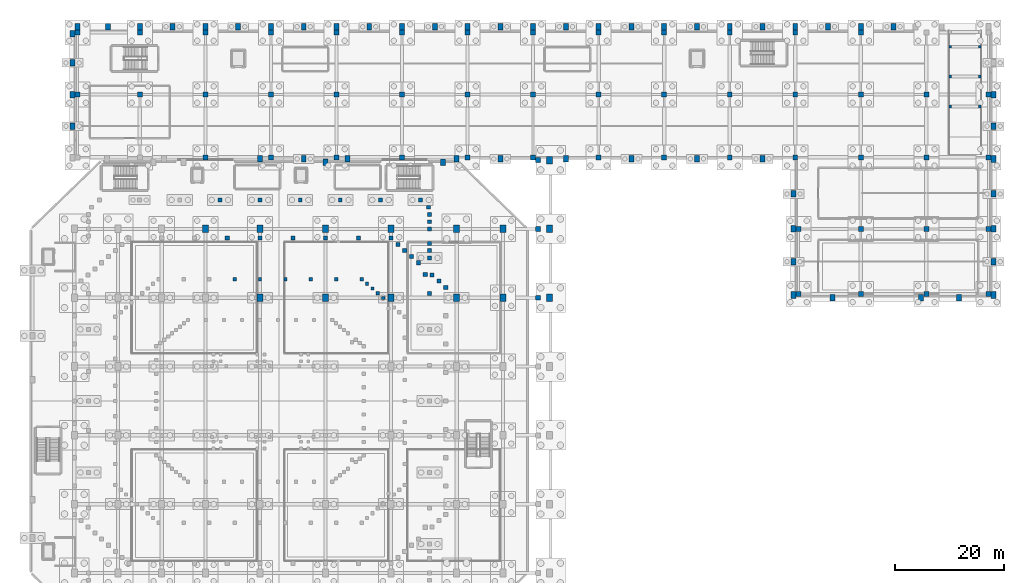
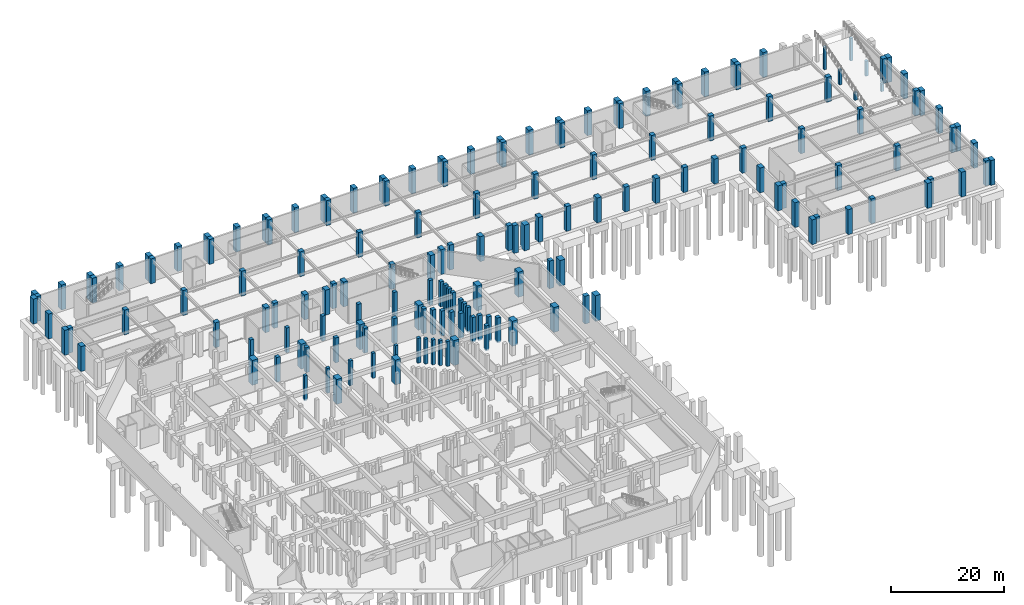
# One storey, part 9 of 27: 165 columns.
"""IFC4 building model written with IfcOpenShell, lengths in metres."""

from ifc_helpers import new_model, si_unit, derived_unit, direction, frame, origin, origin_2d, place, context, subcontext, project, spatial, rectangle, extrude, material, material_profile, profile_set, type_object, element, save


model = new_model("IFC4")

# Units and contexts
model_context = context("Model", 3, precision=1e-05, world=origin(), true_north=direction((0.0, 1.0)))
body_context = subcontext(model_context, "Body", "Model", "MODEL_VIEW")
ifc_project = project(units=[si_unit("LENGTHUNIT", "METRE"), si_unit("AREAUNIT", "SQUARE_METRE"), si_unit("VOLUMEUNIT", "CUBIC_METRE"), si_unit("PLANEANGLEUNIT", "RADIAN"), si_unit("MASSUNIT", "GRAM", prefix="KILO"), derived_unit("THERMALTRANSMITTANCEUNIT", [(si_unit("MASSUNIT", "GRAM", prefix="KILO"), 1), (si_unit("TIMEUNIT", "SECOND"), -3), (si_unit("THERMODYNAMICTEMPERATUREUNIT", "KELVIN"), -1)])], contexts=[model_context])

# Site, building, storey
site_placement = place(None, origin())
site = spatial("IfcSite", under=ifc_project, at=site_placement, CompositionType="ELEMENT")
building_placement = place(site_placement, origin())
building = spatial("IfcBuilding", under=site, at=building_placement, Name="Valcora Ridge Arena", CompositionType="ELEMENT")
storey_placement = place(building_placement, frame((0.0, 0.0, -5.39990234375)))
storey = spatial("IfcBuildingStorey", under=building, at=storey_placement, Name="B1", CompositionType="ELEMENT", Elevation=-5.39990234375)

# Columns
ifc_material_1 = material(Name="Bush-hammered Andean travertine architectural concrete C45/55", Category="masonry")
ifc_material_profile_1 = material_profile(ifc_material_1, rectangle(XDim=0.89990234375, YDim=1.199951171875, at=origin_2d()), Name="RC 900x1200")
ifc_profile_set_1 = profile_set([ifc_material_profile_1], Name="Bush-hammered Andean travertine architectural concrete C45/55")
column_type_1 = type_object("IfcColumnType", Name="TY-COLUMN-C-BUTT-1200", PredefinedType="PILASTER", material=ifc_profile_set_1)
for number, where, z_axis, x_axis, name in (
    (1, (70.0, 107.800048828125, 0.0), (0.0, 0.0, 1.0), (1.0, 0.0, 0.0), "C-BUTT-1200 COL-C-BUTT-1200-0025"),
    (2, (91.5, 107.800048828125, 0.0), (0.0, 0.0, 1.0), (1.0, 0.0, 0.0), "C-BUTT-1200 COL-C-BUTT-1200-0029"),
    (3, (24.60009765625, 132.6201171875, 0.0), (0.0, 0.0, 1.0), (1.0, 0.0, 0.0), "C-BUTT-1200 COL-C-BUTT-1200-0131"),
    (4, (30.199951171875, 132.6201171875, 0.0), (0.0, 0.0, 1.0), (1.0, 0.0, 0.0), "C-BUTT-1200 COL-C-BUTT-1200-0135"),
    (5, (42.0, 132.6201171875, 0.0), (0.0, 0.0, 1.0), (1.0, 0.0, 0.0), "C-BUTT-1200 COL-C-BUTT-1200-0139"),
    (6, (54.0, 132.6201171875, 0.0), (0.0, 0.0, 1.0), (1.0, 0.0, 0.0), "C-BUTT-1200 COL-C-BUTT-1200-0143"),
    (7, (66.0, 132.6201171875, 0.0), (0.0, 0.0, 1.0), (1.0, 0.0, 0.0), "C-BUTT-1200 COL-C-BUTT-1200-0147"),
    (8, (78.0, 132.6201171875, 0.0), (0.0, 0.0, 1.0), (1.0, 0.0, 0.0), "C-BUTT-1200 COL-C-BUTT-1200-0151"),
    (9, (90.0, 132.6201171875, 0.0), (0.0, 0.0, 1.0), (1.0, 0.0, 0.0), "C-BUTT-1200 COL-C-BUTT-1200-0155"),
    (10, (102.0, 132.6201171875, 0.0), (0.0, 0.0, 1.0), (1.0, 0.0, 0.0), "C-BUTT-1200 COL-C-BUTT-1200-0159"),
    (11, (114.0, 132.6201171875, 0.0), (0.0, 0.0, 1.0), (1.0, 0.0, 0.0), "C-BUTT-1200 COL-C-BUTT-1200-0163"),
    (12, (126.0, 132.6201171875, 0.0), (0.0, 0.0, 1.0), (1.0, 0.0, 0.0), "C-BUTT-1200 COL-C-BUTT-1200-0167"),
    (13, (138.0, 132.6201171875, 0.0), (0.0, 0.0, 1.0), (1.0, 0.0, 0.0), "C-BUTT-1200 COL-C-BUTT-1200-0171"),
    (14, (150.0, 132.6201171875, 0.0), (0.0, 0.0, 1.0), (1.0, 0.0, 0.0), "C-BUTT-1200 COL-C-BUTT-1200-0175"),
    (15, (162.0, 132.6201171875, 0.0), (0.0, 0.0, 1.0), (1.0, 0.0, 0.0), "C-BUTT-1200 COL-C-BUTT-1200-0179"),
    (16, (174.0, 132.6201171875, 0.0), (0.0, 0.0, 1.0), (1.0, 0.0, 0.0), "C-BUTT-1200 COL-C-BUTT-1200-0183"),
    (17, (192.320068359375, 83.5, 0.0), (0.0, 0.0, 1.0), (1.0, 0.0, 0.0), "C-BUTT-1200 COL-C-BUTT-1200-0195"),
    (18, (192.320068359375, 89.60009765625, 0.0), (0.0, 0.0, 1.0), (1.0, 0.0, 0.0), "C-BUTT-1200 COL-C-BUTT-1200-0199"),
    (19, (192.320068359375, 95.60009765625, 0.0), (0.0, 0.0, 1.0), (1.0, 0.0, 0.0), "C-BUTT-1200 COL-C-BUTT-1200-0203"),
    (20, (192.320068359375, 102.0, 0.0), (0.0, 0.0, 1.0), (1.0, 0.0, 0.0), "C-BUTT-1200 COL-C-BUTT-1200-0207"),
    (21, (192.320068359375, 108.39990234375, 0.0), (0.0, 0.0, 1.0), (1.0, 0.0, 0.0), "C-BUTT-1200 COL-C-BUTT-1200-0211"),
    (22, (192.320068359375, 114.39990234375, 0.0), (0.0, 0.0, 1.0), (1.0, 0.0, 0.0), "C-BUTT-1200 COL-C-BUTT-1200-0215"),
    (23, (192.320068359375, 120.199951171875, 0.0), (0.0, 0.0, 1.0), (1.0, 0.0, 0.0), "C-BUTT-1200 COL-C-BUTT-1200-0219"),
    (24, (23.679931640625, 114.39990234375, 0.0), (0.0, 0.0, 1.0), (1.0, 0.0, 0.0), "C-BUTT-1200 COL-C-BUTT-1200-0231"),
    (25, (23.679931640625, 120.199951171875, 0.0), (0.0, 0.0, 1.0), (1.0, 0.0, 0.0), "C-BUTT-1200 COL-C-BUTT-1200-0235"),
    (26, (23.679931640625, 126.0, 0.0), (0.0, 0.0, 1.0), (1.0, 0.0, 0.0), "C-BUTT-1200 COL-C-BUTT-1200-0239"),
    (27, (23.679931640625, 131.35009765625, 0.0), (0.0, 0.0, 1.0), (1.0, 0.0, 0.0), "C-BUTT-1200 COL-C-BUTT-1200-0243"),
    (28, (155.679931640625, 83.5, 0.0), (0.0, 0.0, 1.0), (1.0, 0.0, 0.0), "C-BUTT-1200 COL-C-BUTT-1200-0247"),
    (29, (155.679931640625, 89.60009765625, 0.0), (0.0, 0.0, 1.0), (1.0, 0.0, 0.0), "C-BUTT-1200 COL-C-BUTT-1200-0251"),
    (30, (155.679931640625, 95.60009765625, 0.0), (0.0, 0.0, 1.0), (1.0, 0.0, 0.0), "C-BUTT-1200 COL-C-BUTT-1200-0255"),
    (31, (155.679931640625, 102.0, 0.0), (0.0, 0.0, 1.0), (1.0, 0.0, 0.0), "C-BUTT-1200 COL-C-BUTT-1200-0259"),
    (32, (162.800048828125, 83.0, 0.0), (0.0, 0.0, 1.0), (1.0, 0.0, 0.0), "C-BUTT-1200 COL-C-BUTT-1200-0263"),
    (33, (179.050048828125, 83.0, 0.0), (0.0, 0.0, 1.0), (1.0, 0.0, 0.0), "C-BUTT-1200 COL-C-BUTT-1200-0267"),
    (34, (186.0, 83.0, 0.0), (0.0, 0.0, 1.0), (1.0, 0.0, 0.0), "C-BUTT-1200 COL-C-BUTT-1200-0271"),
    (35, (36.0, 132.6201171875, 0.0), (0.0, 0.0, 1.0), (1.0, 0.0, 0.0), "C-BUTT-1200 COL-C-BUTT-1200-0275"),
    (36, (48.0, 132.6201171875, 0.0), (0.0, 0.0, 1.0), (1.0, 0.0, 0.0), "C-BUTT-1200 COL-C-BUTT-1200-0279"),
    (37, (60.0, 132.6201171875, 0.0), (0.0, 0.0, 1.0), (1.0, 0.0, 0.0), "C-BUTT-1200 COL-C-BUTT-1200-0283"),
    (38, (72.0, 132.6201171875, 0.0), (0.0, 0.0, 1.0), (1.0, 0.0, 0.0), "C-BUTT-1200 COL-C-BUTT-1200-0287"),
    (39, (84.0, 132.6201171875, 0.0), (0.0, 0.0, 1.0), (1.0, 0.0, 0.0), "C-BUTT-1200 COL-C-BUTT-1200-0291"),
    (40, (96.0, 132.6201171875, 0.0), (0.0, 0.0, 1.0), (1.0, 0.0, 0.0), "C-BUTT-1200 COL-C-BUTT-1200-0295"),
    (41, (108.0, 132.6201171875, 0.0), (0.0, 0.0, 1.0), (1.0, 0.0, 0.0), "C-BUTT-1200 COL-C-BUTT-1200-0299"),
    (42, (120.0, 132.6201171875, 0.0), (0.0, 0.0, 1.0), (1.0, 0.0, 0.0), "C-BUTT-1200 COL-C-BUTT-1200-0303"),
    (43, (132.0, 132.6201171875, 0.0), (0.0, 0.0, 1.0), (1.0, 0.0, 0.0), "C-BUTT-1200 COL-C-BUTT-1200-0307"),
    (44, (144.0, 132.6201171875, 0.0), (0.0, 0.0, 1.0), (1.0, 0.0, 0.0), "C-BUTT-1200 COL-C-BUTT-1200-0311"),
    (45, (156.0, 132.6201171875, 0.0), (0.0, 0.0, 1.0), (1.0, 0.0, 0.0), "C-BUTT-1200 COL-C-BUTT-1200-0315"),
    (46, (168.0, 132.6201171875, 0.0), (0.0, 0.0, 1.0), (1.0, 0.0, 0.0), "C-BUTT-1200 COL-C-BUTT-1200-0319"),
    (47, (58.0, 108.419921875, 0.0), (0.0, 0.0, 1.0), (1.0, 0.0, 0.0), "C-BUTT-1200 COL-C-BUTT-1200-0335"),
    (48, (66.0, 108.419921875, 0.0), (0.0, 0.0, 1.0), (1.0, 0.0, 0.0), "C-BUTT-1200 COL-C-BUTT-1200-0339"),
    (49, (74.0, 108.419921875, 0.0), (0.0, 0.0, 1.0), (1.0, 0.0, 0.0), "C-BUTT-1200 COL-C-BUTT-1200-0343"),
    (50, (94.0, 108.419921875, 0.0), (0.0, 0.0, 1.0), (1.0, 0.0, 0.0), "C-BUTT-1200 COL-C-BUTT-1200-0347"),
    (51, (102.0, 108.419921875, 0.0), (0.0, 0.0, 1.0), (1.0, 0.0, 0.0), "C-BUTT-1200 COL-C-BUTT-1200-0351"),
    (52, (114.0, 108.419921875, 0.0), (0.0, 0.0, 1.0), (1.0, 0.0, 0.0), "C-BUTT-1200 COL-C-BUTT-1200-0355"),
    (53, (126.0, 108.419921875, 0.0), (0.0, 0.0, 1.0), (1.0, 0.0, 0.0), "C-BUTT-1200 COL-C-BUTT-1200-0359"),
    (54, (138.0, 108.419921875, 0.0), (0.0, 0.0, 1.0), (1.0, 0.0, 0.0), "C-BUTT-1200 COL-C-BUTT-1200-0363"),
    (55, (150.0, 108.419921875, 0.0), (0.0, 0.0, 1.0), (1.0, 0.0, 0.0), "C-BUTT-1200 COL-C-BUTT-1200-0367"),
):
    element("IfcColumn", number, at=place(storey_placement, frame(where, z_axis=z_axis, x_axis=x_axis)), inside=storey, type_object=column_type_1, Name=name, PredefinedType="PILASTER", context=body_context, shape_type="SweptSolid", body=[
        extrude(rectangle(XDim=0.89990234375, YDim=1.199951171875, at=origin_2d()), origin(), (0.0, 0.0, 1.0), 5.39990234375),
    ])
ifc_material_2 = material(Name="Concrete C40/50", Category="concrete")
ifc_material_profile_2 = material_profile(ifc_material_2, rectangle(XDim=1.10009765625, YDim=1.39990234375, at=origin_2d()), Name="RC 1100x1400")
ifc_profile_set_2 = profile_set([ifc_material_profile_2], Name="Concrete C40/50")
column_type_2 = type_object("IfcColumnType", Name="TY-COLUMN-C-RC1100", PredefinedType="COLUMN", material=ifc_profile_set_2)
for number, where, z_axis, x_axis, name in (
    (56, (48.0, 95.60009765625, 0.0), (0.0, 0.0, 1.0), (1.0, 0.0, 0.0), "C-RC1100 COL-C-RC1100-0039"),
    (57, (58.0, 83.0, 0.0), (0.0, 0.0, 1.0), (1.0, 0.0, 0.0), "C-RC1100 COL-C-RC1100-0045"),
    (58, (58.0, 95.60009765625, 0.0), (0.0, 0.0, 1.0), (1.0, 0.0, 0.0), "C-RC1100 COL-C-RC1100-0047"),
    (59, (70.0, 83.0, 0.0), (0.0, 0.0, 1.0), (1.0, 0.0, 0.0), "C-RC1100 COL-C-RC1100-0053"),
    (60, (70.0, 95.60009765625, 0.0), (0.0, 0.0, 1.0), (1.0, 0.0, 0.0), "C-RC1100 COL-C-RC1100-0055"),
    (61, (82.0, 83.0, 0.0), (0.0, 0.0, 1.0), (1.0, 0.0, 0.0), "C-RC1100 COL-C-RC1100-0065"),
    (62, (82.0, 95.60009765625, 0.0), (0.0, 0.0, 1.0), (1.0, 0.0, 0.0), "C-RC1100 COL-C-RC1100-0067"),
    (63, (94.0, 83.0, 0.0), (0.0, 0.0, 1.0), (1.0, 0.0, 0.0), "C-RC1100 COL-C-RC1100-0077"),
    (64, (94.0, 95.60009765625, 0.0), (0.0, 0.0, 1.0), (1.0, 0.0, 0.0), "C-RC1100 COL-C-RC1100-0079"),
    (65, (102.5, 83.0, 0.0), (0.0, 0.0, 1.0), (1.0, 0.0, 0.0), "C-RC1100 COL-C-RC1100-0089"),
    (66, (102.5, 95.60009765625, 0.0), (0.0, 0.0, 1.0), (1.0, 0.0, 0.0), "C-RC1100 COL-C-RC1100-0091"),
):
    element("IfcColumn", number, at=place(storey_placement, frame(where, z_axis=z_axis, x_axis=x_axis)), inside=storey, type_object=column_type_2, Name=name, PredefinedType="COLUMN", context=body_context, shape_type="SweptSolid", body=[
        extrude(rectangle(XDim=1.10009765625, YDim=1.39990234375, at=origin_2d()), origin(), (0.0, 0.0, 1.0), 5.39990234375),
    ])
ifc_material_profile_3 = material_profile(ifc_material_2, rectangle(XDim=0.89990234375, YDim=0.89990234375, at=origin_2d()), Name="RC 900x900")
ifc_profile_set_3 = profile_set([ifc_material_profile_3], Name="Concrete C40/50")
column_type_3 = type_object("IfcColumnType", Name="TY-COLUMN-C-RC900B", PredefinedType="COLUMN", material=ifc_profile_set_3)
for number, where, z_axis, x_axis, name in (
    (67, (24.60009765625, 120.199951171875, 0.0), (0.0, 0.0, 1.0), (1.0, 0.0, 0.0), "C-RC900B COL-C-RC900B-0004"),
    (68, (24.60009765625, 131.550048828125, 0.0), (0.0, 0.0, 1.0), (1.0, 0.0, 0.0), "C-RC900B COL-C-RC900B-0007"),
    (69, (36.0, 120.199951171875, 0.0), (0.0, 0.0, 1.0), (1.0, 0.0, 0.0), "C-RC900B COL-C-RC900B-0013"),
    (70, (36.0, 131.550048828125, 0.0), (0.0, 0.0, 1.0), (1.0, 0.0, 0.0), "C-RC900B COL-C-RC900B-0016"),
    (71, (48.0, 108.699951171875, 0.0), (0.0, 0.0, 1.0), (1.0, 0.0, 0.0), "C-RC900B COL-C-RC900B-0019"),
    (72, (48.0, 120.199951171875, 0.0), (0.0, 0.0, 1.0), (1.0, 0.0, 0.0), "C-RC900B COL-C-RC900B-0022"),
    (73, (48.0, 131.550048828125, 0.0), (0.0, 0.0, 1.0), (1.0, 0.0, 0.0), "C-RC900B COL-C-RC900B-0025"),
    (74, (60.0, 108.699951171875, 0.0), (0.0, 0.0, 1.0), (1.0, 0.0, 0.0), "C-RC900B COL-C-RC900B-0028"),
    (75, (60.0, 120.199951171875, 0.0), (0.0, 0.0, 1.0), (1.0, 0.0, 0.0), "C-RC900B COL-C-RC900B-0031"),
    (76, (60.0, 131.550048828125, 0.0), (0.0, 0.0, 1.0), (1.0, 0.0, 0.0), "C-RC900B COL-C-RC900B-0034"),
    (77, (72.0, 108.699951171875, 0.0), (0.0, 0.0, 1.0), (1.0, 0.0, 0.0), "C-RC900B COL-C-RC900B-0037"),
    (78, (72.0, 120.199951171875, 0.0), (0.0, 0.0, 1.0), (1.0, 0.0, 0.0), "C-RC900B COL-C-RC900B-0040"),
    (79, (72.0, 131.550048828125, 0.0), (0.0, 0.0, 1.0), (1.0, 0.0, 0.0), "C-RC900B COL-C-RC900B-0043"),
    (80, (84.0, 108.699951171875, 0.0), (0.0, 0.0, 1.0), (1.0, 0.0, 0.0), "C-RC900B COL-C-RC900B-0046"),
    (81, (84.0, 120.199951171875, 0.0), (0.0, 0.0, 1.0), (1.0, 0.0, 0.0), "C-RC900B COL-C-RC900B-0049"),
    (82, (84.0, 131.550048828125, 0.0), (0.0, 0.0, 1.0), (1.0, 0.0, 0.0), "C-RC900B COL-C-RC900B-0052"),
    (83, (96.0, 108.699951171875, 0.0), (0.0, 0.0, 1.0), (1.0, 0.0, 0.0), "C-RC900B COL-C-RC900B-0055"),
    (84, (96.0, 120.199951171875, 0.0), (0.0, 0.0, 1.0), (1.0, 0.0, 0.0), "C-RC900B COL-C-RC900B-0058"),
    (85, (96.0, 131.550048828125, 0.0), (0.0, 0.0, 1.0), (1.0, 0.0, 0.0), "C-RC900B COL-C-RC900B-0061"),
    (86, (108.0, 108.699951171875, 0.0), (0.0, 0.0, 1.0), (1.0, 0.0, 0.0), "C-RC900B COL-C-RC900B-0064"),
    (87, (108.0, 120.199951171875, 0.0), (0.0, 0.0, 1.0), (1.0, 0.0, 0.0), "C-RC900B COL-C-RC900B-0067"),
    (88, (108.0, 131.550048828125, 0.0), (0.0, 0.0, 1.0), (1.0, 0.0, 0.0), "C-RC900B COL-C-RC900B-0070"),
    (89, (120.0, 108.699951171875, 0.0), (0.0, 0.0, 1.0), (1.0, 0.0, 0.0), "C-RC900B COL-C-RC900B-0073"),
    (90, (120.0, 120.199951171875, 0.0), (0.0, 0.0, 1.0), (1.0, 0.0, 0.0), "C-RC900B COL-C-RC900B-0076"),
    (91, (120.0, 131.550048828125, 0.0), (0.0, 0.0, 1.0), (1.0, 0.0, 0.0), "C-RC900B COL-C-RC900B-0079"),
    (92, (132.0, 108.699951171875, 0.0), (0.0, 0.0, 1.0), (1.0, 0.0, 0.0), "C-RC900B COL-C-RC900B-0082"),
    (93, (132.0, 120.199951171875, 0.0), (0.0, 0.0, 1.0), (1.0, 0.0, 0.0), "C-RC900B COL-C-RC900B-0085"),
    (94, (132.0, 131.550048828125, 0.0), (0.0, 0.0, 1.0), (1.0, 0.0, 0.0), "C-RC900B COL-C-RC900B-0088"),
    (95, (144.0, 108.699951171875, 0.0), (0.0, 0.0, 1.0), (1.0, 0.0, 0.0), "C-RC900B COL-C-RC900B-0091"),
    (96, (144.0, 120.199951171875, 0.0), (0.0, 0.0, 1.0), (1.0, 0.0, 0.0), "C-RC900B COL-C-RC900B-0094"),
    (97, (144.0, 131.550048828125, 0.0), (0.0, 0.0, 1.0), (1.0, 0.0, 0.0), "C-RC900B COL-C-RC900B-0097"),
    (98, (156.0, 108.699951171875, 0.0), (0.0, 0.0, 1.0), (1.0, 0.0, 0.0), "C-RC900B COL-C-RC900B-0100"),
    (99, (156.0, 120.199951171875, 0.0), (0.0, 0.0, 1.0), (1.0, 0.0, 0.0), "C-RC900B COL-C-RC900B-0103"),
    (100, (156.0, 131.550048828125, 0.0), (0.0, 0.0, 1.0), (1.0, 0.0, 0.0), "C-RC900B COL-C-RC900B-0106"),
    (101, (168.0, 108.699951171875, 0.0), (0.0, 0.0, 1.0), (1.0, 0.0, 0.0), "C-RC900B COL-C-RC900B-0109"),
    (102, (168.0, 120.199951171875, 0.0), (0.0, 0.0, 1.0), (1.0, 0.0, 0.0), "C-RC900B COL-C-RC900B-0112"),
    (103, (168.0, 131.550048828125, 0.0), (0.0, 0.0, 1.0), (1.0, 0.0, 0.0), "C-RC900B COL-C-RC900B-0115"),
    (104, (180.0, 108.699951171875, 0.0), (0.0, 0.0, 1.0), (1.0, 0.0, 0.0), "C-RC900B COL-C-RC900B-0118"),
    (105, (180.0, 120.199951171875, 0.0), (0.0, 0.0, 1.0), (1.0, 0.0, 0.0), "C-RC900B COL-C-RC900B-0121"),
    (106, (191.39990234375, 108.699951171875, 0.0), (0.0, 0.0, 1.0), (1.0, 0.0, 0.0), "C-RC900B COL-C-RC900B-0127"),
    (107, (191.39990234375, 120.199951171875, 0.0), (0.0, 0.0, 1.0), (1.0, 0.0, 0.0), "C-RC900B COL-C-RC900B-0130"),
    (108, (156.60009765625, 83.699951171875, 0.0), (0.0, 0.0, 1.0), (1.0, 0.0, 0.0), "C-RC900B COL-C-RC900B-0136"),
    (109, (156.60009765625, 95.60009765625, 0.0), (0.0, 0.0, 1.0), (1.0, 0.0, 0.0), "C-RC900B COL-C-RC900B-0139"),
    (110, (168.0, 83.699951171875, 0.0), (0.0, 0.0, 1.0), (1.0, 0.0, 0.0), "C-RC900B COL-C-RC900B-0142"),
    (111, (168.0, 95.60009765625, 0.0), (0.0, 0.0, 1.0), (1.0, 0.0, 0.0), "C-RC900B COL-C-RC900B-0145"),
    (112, (180.0, 83.699951171875, 0.0), (0.0, 0.0, 1.0), (1.0, 0.0, 0.0), "C-RC900B COL-C-RC900B-0148"),
    (113, (180.0, 95.60009765625, 0.0), (0.0, 0.0, 1.0), (1.0, 0.0, 0.0), "C-RC900B COL-C-RC900B-0151"),
    (114, (191.39990234375, 83.699951171875, 0.0), (0.0, 0.0, 1.0), (1.0, 0.0, 0.0), "C-RC900B COL-C-RC900B-0154"),
    (115, (191.39990234375, 95.60009765625, 0.0), (0.0, 0.0, 1.0), (1.0, 0.0, 0.0), "C-RC900B COL-C-RC900B-0157"),
):
    element("IfcColumn", number, at=place(storey_placement, frame(where, z_axis=z_axis, x_axis=x_axis)), inside=storey, type_object=column_type_3, Name=name, PredefinedType="COLUMN", context=body_context, shape_type="SweptSolid", body=[
        extrude(rectangle(XDim=0.89990234375, YDim=0.89990234375, at=origin_2d()), origin(), (0.0, 0.0, 1.0), 5.39990234375),
    ])
ifc_material_profile_4 = material_profile(ifc_material_2, rectangle(XDim=0.60009765625, YDim=0.60009765625, at=origin_2d()), Name="RC 600x600")
ifc_profile_set_4 = profile_set([ifc_material_profile_4], Name="Concrete C40/50")
column_type_4 = type_object("IfcColumnType", Name="TY-COLUMN-C-RKR600", PredefinedType="COLUMN", material=ifc_profile_set_4)
for number, where, z_axis, x_axis, name in (
    (116, (80.550048828125, 82.949951171875, 0.0), (0.0, 0.0, 1.0), (1.0, 0.0, 0.0), "C-RKR600 COL-RK-C-RKR600-0053"),
    (117, (79.5625, 83.8125, 0.0), (0.0, 0.0, 1.0), (1.0, 0.0, 0.0), "C-RKR600 COL-RK-C-RKR600-0055"),
    (118, (78.574951171875, 84.675048828125, 0.0), (0.0, 0.0, 1.0), (1.0, 0.0, 0.0), "C-RKR600 COL-RK-C-RKR600-0057"),
    (119, (77.58740234375, 85.53759765625, 0.0), (0.0, 0.0, 1.0), (1.0, 0.0, 0.0), "C-RKR600 COL-RK-C-RKR600-0059"),
    (120, (76.60009765625, 86.39990234375, 0.0), (0.0, 0.0, 1.0), (1.0, 0.0, 0.0), "C-RKR600 COL-RK-C-RKR600-0061"),
    (121, (71.949951171875, 86.39990234375, 0.0), (0.0, 0.0, 1.0), (1.0, 0.0, 0.0), "C-RKR600 COL-RK-C-RKR600-0063"),
    (122, (67.300048828125, 86.39990234375, 0.0), (0.0, 0.0, 1.0), (1.0, 0.0, 0.0), "C-RKR600 COL-RK-C-RKR600-0065"),
    (123, (62.64990234375, 86.39990234375, 0.0), (0.0, 0.0, 1.0), (1.0, 0.0, 0.0), "C-RKR600 COL-RK-C-RKR600-0067"),
    (124, (58.0, 86.39990234375, 0.0), (0.0, 0.0, 1.0), (1.0, 0.0, 0.0), "C-RKR600 COL-RK-C-RKR600-0069"),
    (125, (53.35009765625, 86.39990234375, 0.0), (0.0, 0.0, 1.0), (1.0, 0.0, 0.0), "C-RKR600 COL-RK-C-RKR600-0071"),
):
    element("IfcColumn", number, at=place(storey_placement, frame(where, z_axis=z_axis, x_axis=x_axis)), inside=storey, type_object=column_type_4, Name=name, PredefinedType="COLUMN", context=body_context, shape_type="SweptSolid", body=[
        extrude(rectangle(XDim=0.60009765625, YDim=0.60009765625, at=origin_2d()), origin(), (0.0, 0.0, 1.0), 5.39990234375),
    ])
ifc_material_profile_5 = material_profile(ifc_material_2, rectangle(XDim=0.75, YDim=0.75, at=origin_2d()), Name="RC 750x750")
ifc_profile_set_5 = profile_set([ifc_material_profile_5], Name="Concrete C40/50")
column_type_5 = type_object("IfcColumnType", Name="TY-COLUMN-C-RKR750", PredefinedType="COLUMN", material=ifc_profile_set_5)
for number, where, z_axis, x_axis, name in (
    (126, (92.0, 84.89990234375, 0.0), (0.0, 0.0, 1.0), (1.0, 0.0, 0.0), "C-RKR750 COL-RK-C-RKR750-0047"),
    (127, (90.75, 86.02490234375, 0.0), (0.0, 0.0, 1.0), (1.0, 0.0, 0.0), "C-RKR750 COL-RK-C-RKR750-0049"),
    (128, (89.5, 87.14990234375, 0.0), (0.0, 0.0, 1.0), (1.0, 0.0, 0.0), "C-RKR750 COL-RK-C-RKR750-0051"),
    (129, (87.0, 89.39990234375, 0.0), (0.0, 0.0, 1.0), (1.0, 0.0, 0.0), "C-RKR750 COL-RK-C-RKR750-0053"),
    (130, (85.75, 90.52490234375, 0.0), (0.0, 0.0, 1.0), (1.0, 0.0, 0.0), "C-RKR750 COL-RK-C-RKR750-0055"),
    (131, (84.5, 91.64990234375, 0.0), (0.0, 0.0, 1.0), (1.0, 0.0, 0.0), "C-RKR750 COL-RK-C-RKR750-0057"),
    (132, (83.25, 92.77490234375, 0.0), (0.0, 0.0, 1.0), (1.0, 0.0, 0.0), "C-RKR750 COL-RK-C-RKR750-0059"),
    (133, (82.0, 93.89990234375, 0.0), (0.0, 0.0, 1.0), (1.0, 0.0, 0.0), "C-RKR750 COL-RK-C-RKR750-0061"),
    (134, (76.0, 93.89990234375, 0.0), (0.0, 0.0, 1.0), (1.0, 0.0, 0.0), "C-RKR750 COL-RK-C-RKR750-0063"),
    (135, (70.0, 93.89990234375, 0.0), (0.0, 0.0, 1.0), (1.0, 0.0, 0.0), "C-RKR750 COL-RK-C-RKR750-0065"),
    (136, (64.0, 93.89990234375, 0.0), (0.0, 0.0, 1.0), (1.0, 0.0, 0.0), "C-RKR750 COL-RK-C-RKR750-0067"),
    (137, (58.0, 93.89990234375, 0.0), (0.0, 0.0, 1.0), (1.0, 0.0, 0.0), "C-RKR750 COL-RK-C-RKR750-0069"),
    (138, (52.0, 93.89990234375, 0.0), (0.0, 0.0, 1.0), (1.0, 0.0, 0.0), "C-RKR750 COL-RK-C-RKR750-0071"),
    (139, (88.25, 87.22509765625, 0.0), (0.0, 0.0, 1.0), (1.0, 0.0, 0.0), "C-RKR750 COL-RKN-C-RKR750-0003"),
):
    element("IfcColumn", number, at=place(storey_placement, frame(where, z_axis=z_axis, x_axis=x_axis)), inside=storey, type_object=column_type_5, Name=name, PredefinedType="COLUMN", context=body_context, shape_type="SweptSolid", body=[
        extrude(rectangle(XDim=0.75, YDim=0.75, at=origin_2d()), origin(), (0.0, 0.0, 1.0), 5.39990234375),
    ])
ifc_material_profile_6 = material_profile(ifc_material_2, rectangle(XDim=0.699951171875, YDim=0.699951171875, at=origin_2d()), Name="RC 700x700")
ifc_profile_set_6 = profile_set([ifc_material_profile_6], Name="Concrete C40/50")
column_type_6 = type_object("IfcColumnType", Name="TY-COLUMN-C-RKRU700B", PredefinedType="COLUMN", material=ifc_profile_set_6)
for number, where, z_axis, x_axis, name in (
    (140, (89.0, 83.75, 0.0), (0.0, 0.0, 1.0), (1.0, 0.0, 0.0), "C-RKRU700B COL-RK-C-RKRU700B-0111"),
    (141, (89.0, 90.300048828125, 0.0), (0.0, 0.0, 1.0), (1.0, 0.0, 0.0), "C-RKRU700B COL-RK-C-RKRU700B-0116"),
    (142, (89.0, 91.625, 0.0), (0.0, 0.0, 1.0), (1.0, 0.0, 0.0), "C-RKRU700B COL-RK-C-RKRU700B-0121"),
    (143, (89.0, 92.949951171875, 0.0), (0.0, 0.0, 1.0), (1.0, 0.0, 0.0), "C-RKRU700B COL-RK-C-RKRU700B-0126"),
    (144, (89.0, 95.60009765625, 0.0), (0.0, 0.0, 1.0), (1.0, 0.0, 0.0), "C-RKRU700B COL-RK-C-RKRU700B-0131"),
    (145, (89.0, 96.925048828125, 0.0), (0.0, 0.0, 1.0), (1.0, 0.0, 0.0), "C-RKRU700B COL-RK-C-RKRU700B-0136"),
    (146, (89.0, 98.25, 0.0), (0.0, 0.0, 1.0), (1.0, 0.0, 0.0), "C-RKRU700B COL-RK-C-RKRU700B-0141"),
    (147, (88.85009765625, 99.574951171875, 0.0), (0.0, 0.0, 1.0), (1.0, 0.0, 0.0), "C-RKRU700B COL-RK-C-RKRU700B-0146"),
    (148, (87.39990234375, 100.89990234375, 0.0), (0.0, 0.0, 1.0), (1.0, 0.0, 0.0), "C-RKRU700B COL-RK-C-RKRU700B-0151"),
    (149, (80.050048828125, 100.89990234375, 0.0), (0.0, 0.0, 1.0), (1.0, 0.0, 0.0), "C-RKRU700B COL-RK-C-RKRU700B-0156"),
    (150, (72.699951171875, 100.89990234375, 0.0), (0.0, 0.0, 1.0), (1.0, 0.0, 0.0), "C-RKRU700B COL-RK-C-RKRU700B-0161"),
    (151, (65.35009765625, 100.89990234375, 0.0), (0.0, 0.0, 1.0), (1.0, 0.0, 0.0), "C-RKRU700B COL-RK-C-RKRU700B-0166"),
    (152, (58.0, 100.89990234375, 0.0), (0.0, 0.0, 1.0), (1.0, 0.0, 0.0), "C-RKRU700B COL-RK-C-RKRU700B-0171"),
    (153, (50.64990234375, 100.89990234375, 0.0), (0.0, 0.0, 1.0), (1.0, 0.0, 0.0), "C-RKRU700B COL-RK-C-RKRU700B-0176"),
):
    element("IfcColumn", number, at=place(storey_placement, frame(where, z_axis=z_axis, x_axis=x_axis)), inside=storey, type_object=column_type_6, Name=name, PredefinedType="COLUMN", context=body_context, shape_type="SweptSolid", body=[
        extrude(rectangle(XDim=0.699951171875, YDim=0.699951171875, at=origin_2d()), origin(), (0.0, 0.0, 1.0), 5.39990234375),
    ])
ifc_material_profile_7 = material_profile(ifc_material_2, rectangle(XDim=0.5, YDim=0.5, at=origin_2d()), Name="RC 500x500")
ifc_profile_set_7 = profile_set([ifc_material_profile_7], Name="Concrete C40/50")
column_type_7 = type_object("IfcColumnType", Name="TY-COLUMN-C-RMP500", PredefinedType="COLUMN", material=ifc_profile_set_7)
for number, where, z_axis, x_axis, name in (
    (154, (184.39990234375, 118.0, 0.0), (0.0, 0.0, 1.0), (1.0, 0.0, 0.0), "C-RMP500 COL-RP-C-RMP500-0001"),
    (155, (189.800048828125, 118.0, 0.0), (0.0, 0.0, 1.0), (1.0, 0.0, 0.0), "C-RMP500 COL-RP-C-RMP500-0002"),
):
    element("IfcColumn", number, at=place(storey_placement, frame(where, z_axis=z_axis, x_axis=x_axis)), inside=storey, type_object=column_type_7, Name=name, PredefinedType="COLUMN", context=body_context, shape_type="SweptSolid", body=[
        extrude(rectangle(XDim=0.5, YDim=0.5, at=origin_2d()), origin(), (0.0, 0.0, 1.0), 1.64990234375),
    ])
for number, where, z_axis, x_axis, name in (
    (156, (184.39990234375, 123.5, 0.0), (0.0, 0.0, 1.0), (1.0, 0.0, 0.0), "C-RMP500 COL-RP-C-RMP500-0003"),
    (157, (189.800048828125, 123.5, 0.0), (0.0, 0.0, 1.0), (1.0, 0.0, 0.0), "C-RMP500 COL-RP-C-RMP500-0004"),
):
    element("IfcColumn", number, at=place(storey_placement, frame(where, z_axis=z_axis, x_axis=x_axis)), inside=storey, type_object=column_type_7, Name=name, PredefinedType="COLUMN", context=body_context, shape_type="SweptSolid", body=[
        extrude(rectangle(XDim=0.5, YDim=0.5, at=origin_2d()), origin(), (0.0, 0.0, 1.0), 3.27978515625),
    ])
for number, where, z_axis, x_axis, name in (
    (158, (184.39990234375, 128.949951171875, 0.0), (0.0, 0.0, 1.0), (1.0, 0.0, 0.0), "C-RMP500 COL-RP-C-RMP500-0005"),
    (159, (189.800048828125, 128.949951171875, 0.0), (0.0, 0.0, 1.0), (1.0, 0.0, 0.0), "C-RMP500 COL-RP-C-RMP500-0006"),
):
    element("IfcColumn", number, at=place(storey_placement, frame(where, z_axis=z_axis, x_axis=x_axis)), inside=storey, type_object=column_type_7, Name=name, PredefinedType="COLUMN", context=body_context, shape_type="SweptSolid", body=[
        extrude(rectangle(XDim=0.5, YDim=0.5, at=origin_2d()), origin(), (0.0, 0.0, 1.0), 4.89990234375),
    ])
ifc_material_3 = material(Name="Concrete C45/55", Category="concrete")
ifc_material_profile_8 = material_profile(ifc_material_3, rectangle(XDim=0.89990234375, YDim=0.89990234375, at=origin_2d()), Name="RC 900x900")
ifc_profile_set_8 = profile_set([ifc_material_profile_8], Name="Concrete C45/55")
column_type_8 = type_object("IfcColumnType", Name="TY-COLUMN-C-SHOE-900", PredefinedType="COLUMN", material=ifc_profile_set_8)
for number, where, z_axis, x_axis, name in (
    (160, (108.909912109375, 83.0, -0.60009765625), (0.0, 0.0, 1.0), (1.0, 0.0, 0.0), "C-SHOE-900 COL-SH-C-SHOE-900-0011"),
    (161, (108.909912109375, 95.60009765625, -0.60009765625), (0.0, 0.0, 1.0), (1.0, 0.0, 0.0), "C-SHOE-900 COL-SH-C-SHOE-900-0013"),
    (162, (108.909912109375, 108.199951171875, -0.60009765625), (0.0, 0.0, 1.0), (1.0, 0.0, 0.0), "C-SHOE-900 COL-SH-C-SHOE-900-0015"),
):
    element("IfcColumn", number, at=place(storey_placement, frame(where, z_axis=z_axis, x_axis=x_axis)), inside=storey, type_object=column_type_8, Name=name, PredefinedType="COLUMN", context=body_context, shape_type="SweptSolid", body=[
        extrude(rectangle(XDim=0.89990234375, YDim=0.89990234375, at=origin_2d()), origin(), (0.0, 0.0, 1.0), 6.0),
    ])
ifc_material_profile_9 = material_profile(ifc_material_3, rectangle(XDim=1.10009765625, YDim=1.39990234375, at=origin_2d()), Name="RC 1100x1400")
ifc_profile_set_9 = profile_set([ifc_material_profile_9], Name="Concrete C45/55")
column_type_9 = type_object("IfcColumnType", Name="TY-COLUMN-MC-BASE1400", PredefinedType="COLUMN", material=ifc_profile_set_9)
for number, where, z_axis, x_axis, name in (
    (163, (111.009521484375, 83.0, -0.60009765625), (0.0, 0.0, 1.0), (1.0, 0.0, 0.0), "Flying-Buttress Mega Column MC-BASE1400"),
    (164, (111.009521484375, 95.60009765625, -0.60009765625), (0.0, 0.0, 1.0), (1.0, 0.0, 0.0), "Flying-Buttress Mega Column MC-BASE1400"),
    (165, (111.009521484375, 108.199951171875, -0.60009765625), (0.0, 0.0, 1.0), (1.0, 0.0, 0.0), "Flying-Buttress Mega Column MC-BASE1400"),
):
    element("IfcColumn", number, at=place(storey_placement, frame(where, z_axis=z_axis, x_axis=x_axis)), inside=storey, type_object=column_type_9, Name=name, PredefinedType="COLUMN", context=body_context, shape_type="SweptSolid", body=[
        extrude(rectangle(XDim=1.10009765625, YDim=1.39990234375, at=origin_2d()), origin(), (0.0, 0.0, 1.0), 5.56005859375),
    ])

save(model, "model.ifc")
